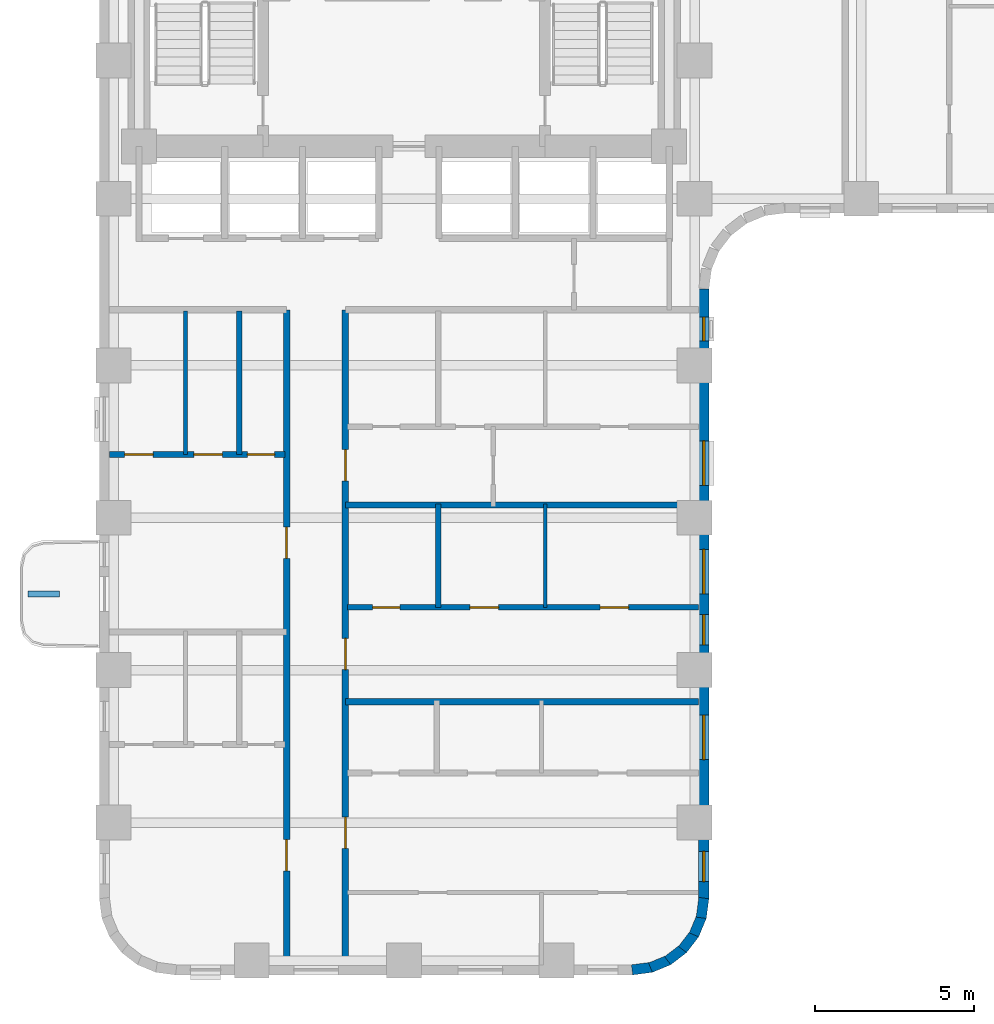
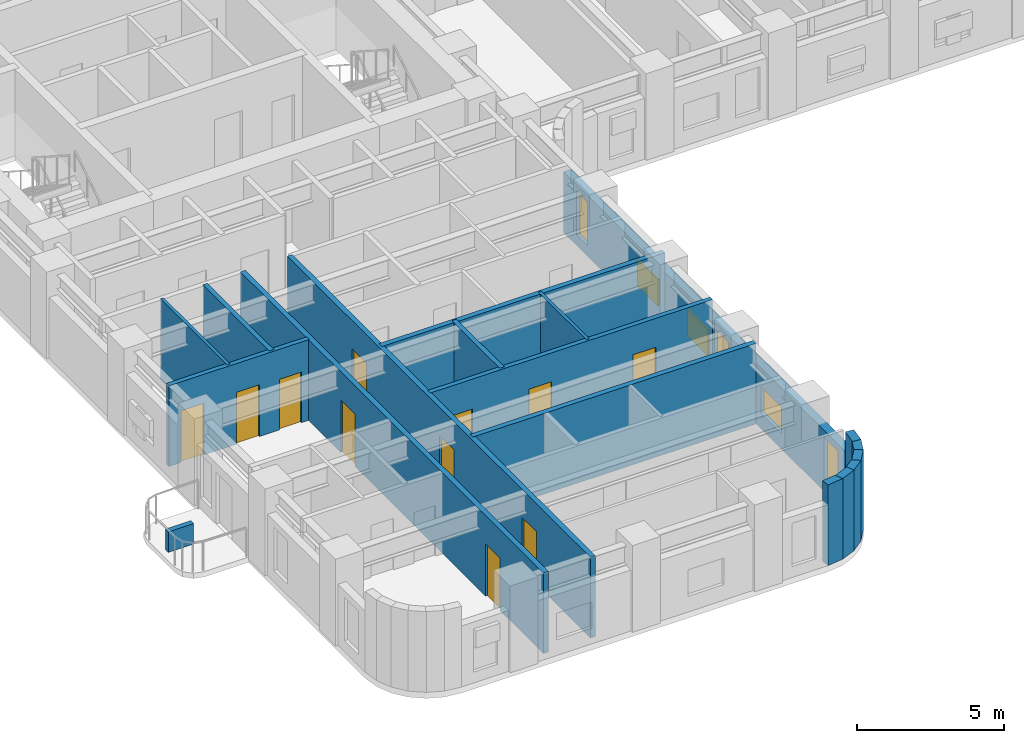
# One storey, part 3 of 11: 18 walls, 11 doors, 6 windows, 17 openings.
"""IFC4 building model written with IfcOpenShell, lengths in metres."""

from ifc_helpers import new_model, si_unit, direction, frame, frame_2d, origin, place, context, subcontext, project, spatial, rectangle, extrude, material, layer, layer_set, type_object, element, fill, save


model = new_model("IFC4")

# Units and contexts
model_context = context("Model", 3, precision=1e-05, world=origin(), true_north=direction((0.0, 1.0)))
body_context = subcontext(model_context, "Body", "Model", "MODEL_VIEW")
ifc_project = project(units=[si_unit("LENGTHUNIT", "METRE"), si_unit("AREAUNIT", "SQUARE_METRE"), si_unit("VOLUMEUNIT", "CUBIC_METRE"), si_unit("PLANEANGLEUNIT", "RADIAN"), si_unit("MASSUNIT", "GRAM", prefix="KILO")], contexts=[model_context])

# Site, building, storey
site_placement = place(None, origin())
site = spatial("IfcSite", under=ifc_project, at=site_placement, CompositionType="ELEMENT")
building_placement = place(site_placement, origin())
building = spatial("IfcBuilding", under=site, at=building_placement, Name="Orvandelia Arch Residences", CompositionType="ELEMENT")
storey_placement = place(building_placement, frame((0.0, 0.0, 89.800048828125)))
storey = spatial("IfcBuildingStorey", under=building, at=storey_placement, Name="L23", CompositionType="ELEMENT", Elevation=89.800048828125)

# Wall, openings, doors
ifc_material_1 = material(Name="Fire-Rated Corridor Partition")
ifc_layer_1 = layer(ifc_material_1, 0.199951171875, Name="Fire-Rated Corridor Partition")
ifc_layer_set_1 = layer_set([ifc_layer_1], Name="Fire-Rated Corridor Partition")
wall_type_1 = type_object("IfcWallType", Name="WL-CORR-200", PredefinedType="PARTITIONING", material=ifc_layer_set_1)
wall_1_placement = place(storey_placement, frame((10.699951171875, 5.1201171875, 0.0), z_axis=(0.0, 0.0, 1.0), x_axis=(0.0, 1.0, 0.0)))
wall_1 = element("IfcWall", 1, at=wall_1_placement, inside=storey, type_object=wall_type_1, Name="Interior Partition Wall WL-L23-WC-W", PredefinedType="PARTITIONING", context=body_context, shape_type="SweptSolid", body=[
    extrude(rectangle(XDim=20.6298828125, YDim=0.199951171875, at=frame_2d((10.31494140625, 0.0))), origin(), (0.0, 0.0, 1.0), 3.349853515625),
])
opening_1_placement = place(wall_1_placement, frame((2.9599609375, 0.0, 0.0)))
opening_1 = element("IfcOpeningElement", 2, at=opening_1_placement, cuts=wall_1, Name="Opening D1", PredefinedType="OPENING", context=body_context, shape_type="SweptSolid", body=[
    extrude(rectangle(XDim=0.97998046875, YDim=2.179931640625, at=frame_2d((0.489990234375, 1.08984375))), frame((0.0, 0.10986328125, 0.0), z_axis=(0.0, -1.0, 0.0), x_axis=(1.0, 0.0, 0.0)), (0.0, 0.0, 1.0), 0.219970703125),
])
opening_2_placement = place(wall_1_placement, frame((12.804931640625, 0.0, 0.0)))
opening_2 = element("IfcOpeningElement", 3, at=opening_2_placement, cuts=wall_1, Name="Opening D1", PredefinedType="OPENING", context=body_context, shape_type="SweptSolid", body=[
    extrude(rectangle(XDim=0.97998046875, YDim=2.179931640625, at=frame_2d((0.489990234375, 1.08984375))), frame((0.0, 0.10986328125, 0.0), z_axis=(0.0, -1.0, 0.0), x_axis=(1.0, 0.0, 0.0)), (0.0, 0.0, 1.0), 0.219970703125),
])
ifc_material_2 = material(Name="Solid-Core Timber Acoustic Fire Door", Category="wood")
door_type_1 = type_object("IfcDoorType", Name="DR-ENT-980", OperationType="NOTDEFINED", PredefinedType="DOOR", material=ifc_material_2)
door_1_placement = place(opening_1_placement, origin())
door_1 = element("IfcDoor", 4, at=door_1_placement, inside=storey, type_object=door_type_1, Name="Unit L23-01 Entrance Door", OperationType="SINGLE_SWING_LEFT", OverallHeight=2.179931640625, OverallWidth=0.97998046875, PredefinedType="DOOR", context=body_context, shape_type="SweptSolid", body=[
    extrude(rectangle(XDim=0.97998046875, YDim=2.179931640625, at=frame_2d((0.489990234375, 1.08984375))), frame((0.0, 0.02490234375, 0.0), z_axis=(0.0, -1.0, 0.0), x_axis=(1.0, 0.0, 0.0)), (0.0, 0.0, 1.0), 0.050048828125),
])
fill(opening_1, door_1)
door_2_placement = place(opening_2_placement, origin())
door_2 = element("IfcDoor", 5, at=door_2_placement, inside=storey, type_object=door_type_1, Name="Unit L23-02 Entrance Door", OperationType="SINGLE_SWING_RIGHT", OverallHeight=2.179931640625, OverallWidth=0.97998046875, PredefinedType="DOOR", context=body_context, shape_type="SweptSolid", body=[
    extrude(rectangle(XDim=0.97998046875, YDim=2.179931640625, at=frame_2d((0.489990234375, 1.08984375))), frame((0.0, 0.02490234375, 0.0), z_axis=(0.0, -1.0, 0.0), x_axis=(1.0, 0.0, 0.0)), (0.0, 0.0, 1.0), 0.050048828125),
])
fill(opening_2, door_2)

wall_2_placement = place(storey_placement, frame((12.550048828125, 5.1201171875, 0.0), z_axis=(0.0, 0.0, 1.0), x_axis=(0.0, 1.0, 0.0)))
wall_2 = element("IfcWall", 6, at=wall_2_placement, inside=storey, type_object=wall_type_1, Name="Interior Partition Wall WL-L23-WC-E", PredefinedType="PARTITIONING", context=body_context, shape_type="SweptSolid", body=[
    extrude(rectangle(XDim=20.6298828125, YDim=0.199951171875, at=frame_2d((10.31494140625, 0.0))), origin(), (0.0, 0.0, 1.0), 3.349853515625),
])
opening_3_placement = place(wall_2_placement, frame((3.6689453125, 0.0, 0.0)))
opening_3 = element("IfcOpeningElement", 7, at=opening_3_placement, cuts=wall_2, Name="Opening D1", PredefinedType="OPENING", context=body_context, shape_type="SweptSolid", body=[
    extrude(rectangle(XDim=0.97998046875, YDim=2.179931640625, at=frame_2d((0.489990234375, 1.08984375))), frame((0.0, 0.10986328125, 0.0), z_axis=(0.0, -1.0, 0.0), x_axis=(1.0, 0.0, 0.0)), (0.0, 0.0, 1.0), 0.219970703125),
])
opening_4_placement = place(wall_2_placement, frame((9.299072265625, 0.0, 0.0)))
opening_4 = element("IfcOpeningElement", 8, at=opening_4_placement, cuts=wall_2, Name="Opening D1", PredefinedType="OPENING", context=body_context, shape_type="SweptSolid", body=[
    extrude(rectangle(XDim=0.97998046875, YDim=2.179931640625, at=frame_2d((0.489990234375, 1.08984375))), frame((0.0, 0.10986328125, 0.0), z_axis=(0.0, -1.0, 0.0), x_axis=(1.0, 0.0, 0.0)), (0.0, 0.0, 1.0), 0.219970703125),
])
opening_5_placement = place(wall_2_placement, frame((15.2451171875, 0.0, 0.0)))
opening_5 = element("IfcOpeningElement", 9, at=opening_5_placement, cuts=wall_2, Name="Opening D1", PredefinedType="OPENING", context=body_context, shape_type="SweptSolid", body=[
    extrude(rectangle(XDim=0.97998046875, YDim=2.179931640625, at=frame_2d((0.489990234375, 1.08984375))), frame((0.0, 0.10986328125, 0.0), z_axis=(0.0, -1.0, 0.0), x_axis=(1.0, 0.0, 0.0)), (0.0, 0.0, 1.0), 0.219970703125),
])
door_3_placement = place(opening_3_placement, origin())
door_3 = element("IfcDoor", 10, at=door_3_placement, inside=storey, type_object=door_type_1, Name="Unit L23-03 Entrance Door", OperationType="SINGLE_SWING_LEFT", OverallHeight=2.179931640625, OverallWidth=0.97998046875, PredefinedType="DOOR", context=body_context, shape_type="SweptSolid", body=[
    extrude(rectangle(XDim=0.97998046875, YDim=2.179931640625, at=frame_2d((0.489990234375, 1.08984375))), frame((0.0, 0.02490234375, 0.0), z_axis=(0.0, -1.0, 0.0), x_axis=(1.0, 0.0, 0.0)), (0.0, 0.0, 1.0), 0.050048828125),
])
fill(opening_3, door_3)
door_4_placement = place(opening_4_placement, origin())
door_4 = element("IfcDoor", 11, at=door_4_placement, inside=storey, type_object=door_type_1, Name="Unit L23-04 Entrance Door", OperationType="SINGLE_SWING_RIGHT", OverallHeight=2.179931640625, OverallWidth=0.97998046875, PredefinedType="DOOR", context=body_context, shape_type="SweptSolid", body=[
    extrude(rectangle(XDim=0.97998046875, YDim=2.179931640625, at=frame_2d((0.489990234375, 1.08984375))), frame((0.0, 0.02490234375, 0.0), z_axis=(0.0, -1.0, 0.0), x_axis=(1.0, 0.0, 0.0)), (0.0, 0.0, 1.0), 0.050048828125),
])
fill(opening_4, door_4)
door_5_placement = place(opening_5_placement, origin())
door_5 = element("IfcDoor", 12, at=door_5_placement, inside=storey, type_object=door_type_1, Name="Unit L23-05 Entrance Door", OperationType="SINGLE_SWING_LEFT", OverallHeight=2.179931640625, OverallWidth=0.97998046875, PredefinedType="DOOR", context=body_context, shape_type="SweptSolid", body=[
    extrude(rectangle(XDim=0.97998046875, YDim=2.179931640625, at=frame_2d((0.489990234375, 1.08984375))), frame((0.0, 0.02490234375, 0.0), z_axis=(0.0, -1.0, 0.0), x_axis=(1.0, 0.0, 0.0)), (0.0, 0.0, 1.0), 0.050048828125),
])
fill(opening_5, door_5)

# Walls
ifc_material_3 = material(Name="Concrete C40/50", Category="concrete")
ifc_layer_2 = layer(ifc_material_3, 0.199951171875, Name="Concrete C40/50", Category="concrete")
ifc_layer_set_2 = layer_set([ifc_layer_2], Name="Concrete C40/50")
wall_type_2 = type_object("IfcWallType", Name="WL-DEM-200", PredefinedType="SOLIDWALL", material=ifc_layer_set_2)
for number, where, z_axis, x_axis, name in (
    (13, (12.550048828125, 13.39990234375, 0.0), (0.0, 0.0, 1.0), (1.0, 0.0, 0.0), "Interior Partition Wall WL-L23-DEM-WR-134"),
    (14, (12.550048828125, 19.60009765625, 0.0), (0.0, 0.0, 1.0), (1.0, 0.0, 0.0), "Interior Partition Wall WL-L23-DEM-WR-196"),
):
    element("IfcWall", number, at=place(storey_placement, frame(where, z_axis=z_axis, x_axis=x_axis)), inside=storey, type_object=wall_type_2, Name=name, PredefinedType="SOLIDWALL", context=body_context, shape_type="SweptSolid", body=[
        extrude(rectangle(XDim=11.1298828125, YDim=0.199951171875, at=frame_2d((5.56494140625, 0.0))), origin(), (0.0, 0.0, 1.0), 3.349853515625),
    ])

# Wall, openings, windows
ifc_material_4 = material(Name="Precast concrete C40/50", Category="concrete")
ifc_layer_3 = layer(ifc_material_4, 0.320068359375, Name="Precast concrete C40/50", Category="concrete")
ifc_layer_set_3 = layer_set([ifc_layer_3], Name="Precast concrete C40/50")
wall_type_3 = type_object("IfcWallType", Name="WL-EXT-STONE-320", PredefinedType="STANDARD", material=ifc_layer_set_3)
wall_3_placement = place(storey_placement, frame((23.840087890625, 26.39990234375, 0.0), z_axis=(0.0, 0.0, 1.0), x_axis=(0.0, -1.0, 0.0)))
wall_3 = element("IfcWall", 15, at=wall_3_placement, inside=storey, type_object=wall_type_3, Name="Coral-Limestone Precast Facade Wall L23-028", PredefinedType="STANDARD", context=body_context, shape_type="SweptSolid", body=[
    extrude(rectangle(XDim=19.199951171875, YDim=0.320068359375, at=frame_2d((9.60009765625, 0.0))), origin(), (0.0, 0.0, 1.0), 2.530029296875),
])
opening_6_placement = place(wall_3_placement, frame((13.419921875, 0.0, 0.64990234375)))
opening_6 = element("IfcOpeningElement", 16, at=opening_6_placement, cuts=wall_3, Name="Opening W10", PredefinedType="OPENING", context=body_context, shape_type="SweptSolid", body=[
    extrude(rectangle(XDim=1.39990234375, YDim=1.10009765625, at=frame_2d((0.699951171875, 0.550048828125))), frame((0.0, 0.169921875, 0.0), z_axis=(0.0, -1.0, 0.0), x_axis=(1.0, 0.0, 0.0)), (0.0, 0.0, 1.0), 0.340087890625),
])
opening_7_placement = place(wall_3_placement, frame((8.196044921875, 0.0, 0.64990234375)))
opening_7 = element("IfcOpeningElement", 17, at=opening_7_placement, cuts=wall_3, Name="Opening W10", PredefinedType="OPENING", context=body_context, shape_type="SweptSolid", body=[
    extrude(rectangle(XDim=1.39990234375, YDim=1.10009765625, at=frame_2d((0.699951171875, 0.550048828125))), frame((0.0, 0.169921875, 0.0), z_axis=(0.0, -1.0, 0.0), x_axis=(1.0, 0.0, 0.0)), (0.0, 0.0, 1.0), 0.340087890625),
])
opening_8_placement = place(wall_3_placement, frame((0.8798828125, 0.0, 0.449951171875)))
opening_8 = element("IfcOpeningElement", 18, at=opening_8_placement, cuts=wall_3, Name="Opening W11", PredefinedType="OPENING", context=body_context, shape_type="SweptSolid", body=[
    extrude(rectangle(XDim=0.75, YDim=1.800048828125, at=frame_2d((0.375, 0.89990234375))), frame((0.0, 0.169921875, 0.0), z_axis=(0.0, -1.0, 0.0), x_axis=(1.0, 0.0, 0.0)), (0.0, 0.0, 1.0), 0.340087890625),
])
opening_9_placement = place(wall_3_placement, frame((17.7109375, 0.0, 0.449951171875)))
opening_9 = element("IfcOpeningElement", 19, at=opening_9_placement, cuts=wall_3, Name="Opening W4", PredefinedType="OPENING", context=body_context, shape_type="SweptSolid", body=[
    extrude(rectangle(XDim=0.949951171875, YDim=1.800048828125, at=frame_2d((0.47509765625, 0.89990234375))), frame((0.0, 0.169921875, 0.0), z_axis=(0.0, -1.0, 0.0), x_axis=(1.0, 0.0, 0.0)), (0.0, 0.0, 1.0), 0.340087890625),
])
opening_10_placement = place(wall_3_placement, frame((10.2509765625, 0.0, 0.449951171875)))
opening_10 = element("IfcOpeningElement", 20, at=opening_10_placement, cuts=wall_3, Name="Opening W4", PredefinedType="OPENING", context=body_context, shape_type="SweptSolid", body=[
    extrude(rectangle(XDim=0.949951171875, YDim=1.800048828125, at=frame_2d((0.47509765625, 0.89990234375))), frame((0.0, 0.169921875, 0.0), z_axis=(0.0, -1.0, 0.0), x_axis=(1.0, 0.0, 0.0)), (0.0, 0.0, 1.0), 0.340087890625),
])
opening_11_placement = place(wall_3_placement, frame((4.780029296875, 0.0, 0.64990234375)))
opening_11 = element("IfcOpeningElement", 21, at=opening_11_placement, cuts=wall_3, Name="Opening W10", PredefinedType="OPENING", context=body_context, shape_type="SweptSolid", body=[
    extrude(rectangle(XDim=1.39990234375, YDim=1.10009765625, at=frame_2d((0.699951171875, 0.550048828125))), frame((0.0, 0.169921875, 0.0), z_axis=(0.0, -1.0, 0.0), x_axis=(1.0, 0.0, 0.0)), (0.0, 0.0, 1.0), 0.340087890625),
])
ifc_material_5 = material(Name="Tempered Low-E Insulated Glazing", Category="glass")
window_type_1 = type_object("IfcWindowType", Name="WIN-BED-0750x1800", PartitioningType="SINGLE_PANEL", PredefinedType="WINDOW", material=ifc_material_5)
window_1_placement = place(opening_8_placement, origin())
window_1 = element("IfcWindow", 22, at=window_1_placement, inside=storey, type_object=window_type_1, Name="Recessed Punched Window L23-018", OverallHeight=1.800048828125, OverallWidth=0.75, PartitioningType="SINGLE_PANEL", PredefinedType="WINDOW", context=body_context, shape_type="SweptSolid", body=[
    extrude(rectangle(XDim=0.75, YDim=1.800048828125, at=frame_2d((0.375, 0.89990234375))), frame((0.0, 0.030029296875, 0.0), z_axis=(0.0, -1.0, 0.0), x_axis=(1.0, 0.0, 0.0)), (0.0, 0.0, 1.0), 0.06005859375),
])
fill(opening_8, window_1)
window_type_2 = type_object("IfcWindowType", Name="WIN-CLR-1400x1100", PartitioningType="SINGLE_PANEL", PredefinedType="WINDOW", material=ifc_material_5)
window_2_placement = place(opening_6_placement, origin())
window_2 = element("IfcWindow", 23, at=window_2_placement, inside=storey, type_object=window_type_2, Name="Recessed Punched Window L23-016", OverallHeight=1.10009765625, OverallWidth=1.39990234375, PartitioningType="SINGLE_PANEL", PredefinedType="WINDOW", context=body_context, shape_type="SweptSolid", body=[
    extrude(rectangle(XDim=1.39990234375, YDim=1.10009765625, at=frame_2d((0.699951171875, 0.550048828125))), frame((0.0, 0.030029296875, 0.0), z_axis=(0.0, -1.0, 0.0), x_axis=(1.0, 0.0, 0.0)), (0.0, 0.0, 1.0), 0.06005859375),
])
fill(opening_6, window_2)
window_3_placement = place(opening_7_placement, origin())
window_3 = element("IfcWindow", 24, at=window_3_placement, inside=storey, type_object=window_type_2, Name="Recessed Punched Window L23-017", OverallHeight=1.10009765625, OverallWidth=1.39990234375, PartitioningType="SINGLE_PANEL", PredefinedType="WINDOW", context=body_context, shape_type="SweptSolid", body=[
    extrude(rectangle(XDim=1.39990234375, YDim=1.10009765625, at=frame_2d((0.699951171875, 0.550048828125))), frame((0.0, 0.030029296875, 0.0), z_axis=(0.0, -1.0, 0.0), x_axis=(1.0, 0.0, 0.0)), (0.0, 0.0, 1.0), 0.06005859375),
])
fill(opening_7, window_3)
window_4_placement = place(opening_11_placement, origin())
window_4 = element("IfcWindow", 25, at=window_4_placement, inside=storey, type_object=window_type_2, Name="Recessed Punched Window L23-021", OverallHeight=1.10009765625, OverallWidth=1.39990234375, PartitioningType="SINGLE_PANEL", PredefinedType="WINDOW", context=body_context, shape_type="SweptSolid", body=[
    extrude(rectangle(XDim=1.39990234375, YDim=1.10009765625, at=frame_2d((0.699951171875, 0.550048828125))), frame((0.0, 0.030029296875, 0.0), z_axis=(0.0, -1.0, 0.0), x_axis=(1.0, 0.0, 0.0)), (0.0, 0.0, 1.0), 0.06005859375),
])
fill(opening_11, window_4)
window_type_3 = type_object("IfcWindowType", Name="WIN-RES-0950x1800", PartitioningType="SINGLE_PANEL", PredefinedType="WINDOW", material=ifc_material_5)
window_5_placement = place(opening_9_placement, origin())
window_5 = element("IfcWindow", 26, at=window_5_placement, inside=storey, type_object=window_type_3, Name="Recessed Punched Window L23-019", OverallHeight=1.800048828125, OverallWidth=0.949951171875, PartitioningType="SINGLE_PANEL", PredefinedType="WINDOW", context=body_context, shape_type="SweptSolid", body=[
    extrude(rectangle(XDim=0.949951171875, YDim=1.800048828125, at=frame_2d((0.47509765625, 0.89990234375))), frame((0.0, 0.030029296875, 0.0), z_axis=(0.0, -1.0, 0.0), x_axis=(1.0, 0.0, 0.0)), (0.0, 0.0, 1.0), 0.06005859375),
])
fill(opening_9, window_5)
window_6_placement = place(opening_10_placement, origin())
window_6 = element("IfcWindow", 27, at=window_6_placement, inside=storey, type_object=window_type_3, Name="Recessed Punched Window L23-020", OverallHeight=1.800048828125, OverallWidth=0.949951171875, PartitioningType="SINGLE_PANEL", PredefinedType="WINDOW", context=body_context, shape_type="SweptSolid", body=[
    extrude(rectangle(XDim=0.949951171875, YDim=1.800048828125, at=frame_2d((0.47509765625, 0.89990234375))), frame((0.0, 0.030029296875, 0.0), z_axis=(0.0, -1.0, 0.0), x_axis=(1.0, 0.0, 0.0)), (0.0, 0.0, 1.0), 0.06005859375),
])
fill(opening_10, window_6)

# Walls
wall_4_placement = place(storey_placement, frame((23.84130859375, 7.220947265625, 0.0), z_axis=(0.0, 0.0, 1.0), x_axis=(-0.130504898859, -0.991447664465, 0.0)))
element("IfcWall", 28, at=wall_4_placement, inside=storey, type_object=wall_type_3, Name="Coral-Limestone Precast Facade Wall L23-029", PredefinedType="STANDARD", context=body_context, shape_type="SweptSolid", body=[
    extrude(rectangle(XDim=0.626708984375, YDim=0.320068359375, at=frame_2d((0.3134765625, 0.0))), origin(), (0.0, 0.0, 1.0), 3.349853515625),
])
wall_5_placement = place(storey_placement, frame((23.7705078125, 6.639892578125, 0.0), z_axis=(0.0, 0.0, 1.0), x_axis=(-0.382787856107, -0.923836271867, 0.0)))
element("IfcWall", 29, at=wall_5_placement, inside=storey, type_object=wall_type_3, Name="Coral-Limestone Precast Facade Wall L23-030", PredefinedType="STANDARD", context=body_context, shape_type="SweptSolid", body=[
    extrude(rectangle(XDim=0.626220703125, YDim=0.320068359375, at=frame_2d((0.31298828125, 0.0))), origin(), (0.0, 0.0, 1.0), 3.349853515625),
])
wall_6_placement = place(storey_placement, frame((23.551513671875, 6.097412109375, 0.0), z_axis=(0.0, 0.0, 1.0), x_axis=(-0.608693302629, -0.793405610854, 0.0)))
element("IfcWall", 30, at=wall_6_placement, inside=storey, type_object=wall_type_3, Name="Coral-Limestone Precast Facade Wall L23-031", PredefinedType="STANDARD", context=body_context, shape_type="SweptSolid", body=[
    extrude(rectangle(XDim=0.62646484375, YDim=0.320068359375, at=frame_2d((0.313232421875, 0.0))), origin(), (0.0, 0.0, 1.0), 3.349853515625),
])
wall_7_placement = place(storey_placement, frame((23.19970703125, 5.6298828125, 0.0), z_axis=(0.0, 0.0, 1.0), x_axis=(-0.7932174212, -0.608938521285, 0.0)))
element("IfcWall", 31, at=wall_7_placement, inside=storey, type_object=wall_type_3, Name="Coral-Limestone Precast Facade Wall L23-032", PredefinedType="STANDARD", context=body_context, shape_type="SweptSolid", body=[
    extrude(rectangle(XDim=0.626708984375, YDim=0.320068359375, at=frame_2d((0.3134765625, 0.0))), origin(), (0.0, 0.0, 1.0), 3.349853515625),
])
for number, where, z_axis, x_axis, name in (
    (32, (22.73876953125, 5.269287109375, 0.0), (0.0, 0.0, 1.0), (-0.92389335771, -0.382650053678, 0.0), "Coral-Limestone Precast Facade Wall L23-033"),
    (33, (22.2001953125, 5.040283203125, 0.0), (0.0, 0.0, 1.0), (-0.9914410257, -0.130555323746, 0.0), "Coral-Limestone Precast Facade Wall L23-034"),
):
    element("IfcWall", number, at=place(storey_placement, frame(where, z_axis=z_axis, x_axis=x_axis)), inside=storey, type_object=wall_type_3, Name=name, PredefinedType="STANDARD", context=body_context, shape_type="SweptSolid", body=[
        extrude(rectangle(XDim=0.62646484375, YDim=0.320068359375, at=frame_2d((0.313232421875, 0.0))), origin(), (0.0, 0.0, 1.0), 3.349853515625),
    ])
ifc_material_6 = material(Name="Lightweight Gypsum Stud Partition")
ifc_layer_4 = layer(ifc_material_6, 0.1201171875, Name="Lightweight Gypsum Stud Partition")
ifc_layer_set_4 = layer_set([ifc_layer_4], Name="Lightweight Gypsum Stud Partition")
wall_type_4 = type_object("IfcWallType", Name="WL-PART-120", PredefinedType="PARTITIONING", material=ifc_layer_set_4)
wall_8_placement = place(storey_placement, frame((7.514892578125, 21.18994140625, 0.0), z_axis=(0.0, 0.0, 1.0), x_axis=(0.0, 1.0, 0.0)))
element("IfcWall", 34, at=wall_8_placement, inside=storey, type_object=wall_type_4, Name="Interior Partition Wall WL-L23-U02-V1", PredefinedType="PARTITIONING", context=body_context, shape_type="SweptSolid", body=[
    extrude(rectangle(XDim=4.530029296875, YDim=0.1201171875, at=frame_2d((2.26513671875, 0.0))), origin(), (0.0, 0.0, 1.0), 3.349853515625),
])
wall_9_placement = place(storey_placement, frame((18.843017578125, 16.3779296875, 0.0), z_axis=(0.0, 0.0, 1.0), x_axis=(0.0, 1.0, 0.0)))
element("IfcWall", 35, at=wall_9_placement, inside=storey, type_object=wall_type_4, Name="Interior Partition Wall WL-L23-U04-V2", PredefinedType="PARTITIONING", context=body_context, shape_type="SweptSolid", body=[
    extrude(rectangle(XDim=3.261962890625, YDim=0.1201171875, at=frame_2d((1.630859375, 0.0))), origin(), (0.0, 0.0, 1.0), 3.349853515625),
])
ifc_layer_5 = layer(ifc_material_4, 0.199951171875, Name="Precast concrete C40/50", Category="concrete")
ifc_layer_set_5 = layer_set([ifc_layer_5], Name="Precast concrete C40/50")
wall_type_5 = type_object("IfcWallType", Name="WL-PLANTER-200", PredefinedType="MOVABLE", material=ifc_layer_set_5)
wall_10_placement = place(storey_placement, frame((2.550048828125, 16.800048828125, 0.0), z_axis=(0.0, 0.0, 1.0), x_axis=(1.0, 0.0, 0.0)))
element("IfcWall", 36, at=wall_10_placement, inside=storey, type_object=wall_type_5, Name="Balcony Precast Tree Planter BAL-L23-W1", PredefinedType="MOVABLE", context=body_context, shape_type="SweptSolid", body=[
    extrude(rectangle(XDim=1.0, YDim=0.199951171875, at=frame_2d((0.5, 0.0))), origin(), (0.0, 0.0, 1.0), 0.849853515625),
])

# Wall, openings, doors
ifc_material_7 = material(Name="Moisture-Resistant Plumbing Wall")
ifc_layer_6 = layer(ifc_material_7, 0.179931640625, Name="Moisture-Resistant Plumbing Wall")
ifc_layer_set_6 = layer_set([ifc_layer_6], Name="Moisture-Resistant Plumbing Wall")
wall_type_6 = type_object("IfcWallType", Name="WL-WET-180", PredefinedType="PLUMBINGWALL", material=ifc_layer_set_6)
wall_11_placement = place(storey_placement, frame((5.1201171875, 21.18994140625, 0.0), z_axis=(0.0, 0.0, 1.0), x_axis=(1.0, 0.0, 0.0)))
wall_11 = element("IfcWall", 37, at=wall_11_placement, inside=storey, type_object=wall_type_6, Name="Interior Partition Wall WL-L23-U02-HZ", PredefinedType="PLUMBINGWALL", context=body_context, shape_type="SweptSolid", body=[
    extrude(rectangle(XDim=5.519775390625, YDim=0.179931640625, at=frame_2d((2.759765625, 0.0))), origin(), (0.0, 0.0, 1.0), 3.349853515625),
])
opening_12_placement = place(wall_11_placement, frame((0.47216796875, 0.0, 0.0)))
opening_12 = element("IfcOpeningElement", 38, at=opening_12_placement, cuts=wall_11, Name="Opening D3", PredefinedType="OPENING", context=body_context, shape_type="SweptSolid", body=[
    extrude(rectangle(XDim=0.89990234375, YDim=2.14990234375, at=frame_2d((0.449951171875, 1.074951171875))), frame((0.0, 0.10009765625, 0.0), z_axis=(0.0, -1.0, 0.0), x_axis=(1.0, 0.0, 0.0)), (0.0, 0.0, 1.0), 0.199951171875),
])
opening_13_placement = place(wall_11_placement, frame((2.655029296875, 0.0, 0.0)))
opening_13 = element("IfcOpeningElement", 39, at=opening_13_placement, cuts=wall_11, Name="Opening D3", PredefinedType="OPENING", context=body_context, shape_type="SweptSolid", body=[
    extrude(rectangle(XDim=0.89990234375, YDim=2.14990234375, at=frame_2d((0.449951171875, 1.074951171875))), frame((0.0, 0.10009765625, 0.0), z_axis=(0.0, -1.0, 0.0), x_axis=(1.0, 0.0, 0.0)), (0.0, 0.0, 1.0), 0.199951171875),
])
opening_14_placement = place(wall_11_placement, frame((4.342041015625, 0.0, 0.0)))
opening_14 = element("IfcOpeningElement", 40, at=opening_14_placement, cuts=wall_11, Name="Opening D4", PredefinedType="OPENING", context=body_context, shape_type="SweptSolid", body=[
    extrude(rectangle(XDim=0.860107421875, YDim=2.10009765625, at=frame_2d((0.43017578125, 1.050048828125))), frame((0.0, 0.10009765625, 0.0), z_axis=(0.0, -1.0, 0.0), x_axis=(1.0, 0.0, 0.0)), (0.0, 0.0, 1.0), 0.199951171875),
])
ifc_material_8 = material(Name="Engineered Timber Flush Door", Category="wood")
door_type_2 = type_object("IfcDoorType", Name="DR-INT-900", OperationType="NOTDEFINED", PredefinedType="DOOR", material=ifc_material_8)
door_6_placement = place(opening_12_placement, origin())
door_6 = element("IfcDoor", 41, at=door_6_placement, inside=storey, type_object=door_type_2, Name="DR-L23-U02-BD1", OperationType="SINGLE_SWING_RIGHT", OverallHeight=2.14990234375, OverallWidth=0.89990234375, PredefinedType="DOOR", context=body_context, shape_type="SweptSolid", body=[
    extrude(rectangle(XDim=0.89990234375, YDim=2.14990234375, at=frame_2d((0.449951171875, 1.074951171875))), frame((0.0, 0.02490234375, 0.0), z_axis=(0.0, -1.0, 0.0), x_axis=(1.0, 0.0, 0.0)), (0.0, 0.0, 1.0), 0.050048828125),
])
fill(opening_12, door_6)
door_7_placement = place(opening_13_placement, origin())
door_7 = element("IfcDoor", 42, at=door_7_placement, inside=storey, type_object=door_type_2, Name="DR-L23-U02-KIT", OperationType="SINGLE_SWING_LEFT", OverallHeight=2.14990234375, OverallWidth=0.89990234375, PredefinedType="DOOR", context=body_context, shape_type="SweptSolid", body=[
    extrude(rectangle(XDim=0.89990234375, YDim=2.14990234375, at=frame_2d((0.449951171875, 1.074951171875))), frame((0.0, 0.02490234375, 0.0), z_axis=(0.0, -1.0, 0.0), x_axis=(1.0, 0.0, 0.0)), (0.0, 0.0, 1.0), 0.050048828125),
])
fill(opening_13, door_7)
ifc_material_9 = material(Name="Moisture-Sealed Timber Bathroom Door", Category="wood")
door_type_3 = type_object("IfcDoorType", Name="DR-WET-900", OperationType="NOTDEFINED", PredefinedType="DOOR", material=ifc_material_9)
door_8_placement = place(opening_14_placement, origin())
door_8 = element("IfcDoor", 43, at=door_8_placement, inside=storey, type_object=door_type_3, Name="DR-L23-U02-BTH", OperationType="SINGLE_SWING_RIGHT", OverallHeight=2.10009765625, OverallWidth=0.860107421875, PredefinedType="DOOR", context=body_context, shape_type="SweptSolid", body=[
    extrude(rectangle(XDim=0.860107421875, YDim=2.10009765625, at=frame_2d((0.43017578125, 1.050048828125))), frame((0.0, 0.02490234375, 0.0), z_axis=(0.0, -1.0, 0.0), x_axis=(1.0, 0.0, 0.0)), (0.0, 0.0, 1.0), 0.050048828125),
])
fill(opening_14, door_8)

# Wall
wall_12_placement = place(storey_placement, frame((9.201904296875, 21.18994140625, 0.0), z_axis=(0.0, 0.0, 1.0), x_axis=(0.0, 1.0, 0.0)))
element("IfcWall", 44, at=wall_12_placement, inside=storey, type_object=wall_type_6, Name="Interior Partition Wall WL-L23-U02-V2", PredefinedType="PLUMBINGWALL", context=body_context, shape_type="SweptSolid", body=[
    extrude(rectangle(XDim=4.530029296875, YDim=0.179931640625, at=frame_2d((2.26513671875, 0.0))), origin(), (0.0, 0.0, 1.0), 3.349853515625),
])

# Wall, openings, doors
wall_13_placement = place(storey_placement, frame((12.610107421875, 16.3779296875, 0.0), z_axis=(0.0, 0.0, 1.0), x_axis=(1.0, 0.0, 0.0)))
wall_13 = element("IfcWall", 45, at=wall_13_placement, inside=storey, type_object=wall_type_6, Name="Interior Partition Wall WL-L23-U04-HZ", PredefinedType="PLUMBINGWALL", context=body_context, shape_type="SweptSolid", body=[
    extrude(rectangle(XDim=11.06982421875, YDim=0.179931640625, at=frame_2d((5.534912109375, 0.0))), origin(), (0.0, 0.0, 1.0), 3.349853515625),
])
opening_15_placement = place(wall_13_placement, frame((0.795166015625, 0.0, 0.0)))
opening_15 = element("IfcOpeningElement", 46, at=opening_15_placement, cuts=wall_13, Name="Opening D4", PredefinedType="OPENING", context=body_context, shape_type="SweptSolid", body=[
    extrude(rectangle(XDim=0.860107421875, YDim=2.10009765625, at=frame_2d((0.43017578125, 1.050048828125))), frame((0.0, 0.10009765625, 0.0), z_axis=(0.0, -1.0, 0.0), x_axis=(1.0, 0.0, 0.0)), (0.0, 0.0, 1.0), 0.199951171875),
])
opening_16_placement = place(wall_13_placement, frame((3.8642578125, 0.0, 0.0)))
opening_16 = element("IfcOpeningElement", 47, at=opening_16_placement, cuts=wall_13, Name="Opening D3", PredefinedType="OPENING", context=body_context, shape_type="SweptSolid", body=[
    extrude(rectangle(XDim=0.89990234375, YDim=2.14990234375, at=frame_2d((0.449951171875, 1.074951171875))), frame((0.0, 0.10009765625, 0.0), z_axis=(0.0, -1.0, 0.0), x_axis=(1.0, 0.0, 0.0)), (0.0, 0.0, 1.0), 0.199951171875),
])
opening_17_placement = place(wall_13_placement, frame((7.964111328125, 0.0, 0.0)))
opening_17 = element("IfcOpeningElement", 48, at=opening_17_placement, cuts=wall_13, Name="Opening D3", PredefinedType="OPENING", context=body_context, shape_type="SweptSolid", body=[
    extrude(rectangle(XDim=0.89990234375, YDim=2.14990234375, at=frame_2d((0.449951171875, 1.074951171875))), frame((0.0, 0.10009765625, 0.0), z_axis=(0.0, -1.0, 0.0), x_axis=(1.0, 0.0, 0.0)), (0.0, 0.0, 1.0), 0.199951171875),
])
door_9_placement = place(opening_16_placement, origin())
door_9 = element("IfcDoor", 49, at=door_9_placement, inside=storey, type_object=door_type_2, Name="DR-L23-U04-KIT", OperationType="SINGLE_SWING_RIGHT", OverallHeight=2.14990234375, OverallWidth=0.89990234375, PredefinedType="DOOR", context=body_context, shape_type="SweptSolid", body=[
    extrude(rectangle(XDim=0.89990234375, YDim=2.14990234375, at=frame_2d((0.449951171875, 1.074951171875))), frame((0.0, 0.02490234375, 0.0), z_axis=(0.0, -1.0, 0.0), x_axis=(1.0, 0.0, 0.0)), (0.0, 0.0, 1.0), 0.050048828125),
])
fill(opening_16, door_9)
door_10_placement = place(opening_17_placement, origin())
door_10 = element("IfcDoor", 50, at=door_10_placement, inside=storey, type_object=door_type_2, Name="DR-L23-U04-BD1", OperationType="SINGLE_SWING_LEFT", OverallHeight=2.14990234375, OverallWidth=0.89990234375, PredefinedType="DOOR", context=body_context, shape_type="SweptSolid", body=[
    extrude(rectangle(XDim=0.89990234375, YDim=2.14990234375, at=frame_2d((0.449951171875, 1.074951171875))), frame((0.0, 0.02490234375, 0.0), z_axis=(0.0, -1.0, 0.0), x_axis=(1.0, 0.0, 0.0)), (0.0, 0.0, 1.0), 0.050048828125),
])
fill(opening_17, door_10)
door_11_placement = place(opening_15_placement, origin())
door_11 = element("IfcDoor", 51, at=door_11_placement, inside=storey, type_object=door_type_3, Name="DR-L23-U04-BTH", OperationType="SINGLE_SWING_LEFT", OverallHeight=2.10009765625, OverallWidth=0.860107421875, PredefinedType="DOOR", context=body_context, shape_type="SweptSolid", body=[
    extrude(rectangle(XDim=0.860107421875, YDim=2.10009765625, at=frame_2d((0.43017578125, 1.050048828125))), frame((0.0, 0.02490234375, 0.0), z_axis=(0.0, -1.0, 0.0), x_axis=(1.0, 0.0, 0.0)), (0.0, 0.0, 1.0), 0.050048828125),
])
fill(opening_15, door_11)

# Wall
wall_14_placement = place(storey_placement, frame((15.47705078125, 16.3779296875, 0.0), z_axis=(0.0, 0.0, 1.0), x_axis=(0.0, 1.0, 0.0)))
element("IfcWall", 52, at=wall_14_placement, inside=storey, type_object=wall_type_6, Name="Interior Partition Wall WL-L23-U04-V1", PredefinedType="PLUMBINGWALL", context=body_context, shape_type="SweptSolid", body=[
    extrude(rectangle(XDim=3.261962890625, YDim=0.179931640625, at=frame_2d((1.630859375, 0.0))), origin(), (0.0, 0.0, 1.0), 3.349853515625),
])

save(model, "model.ifc")
